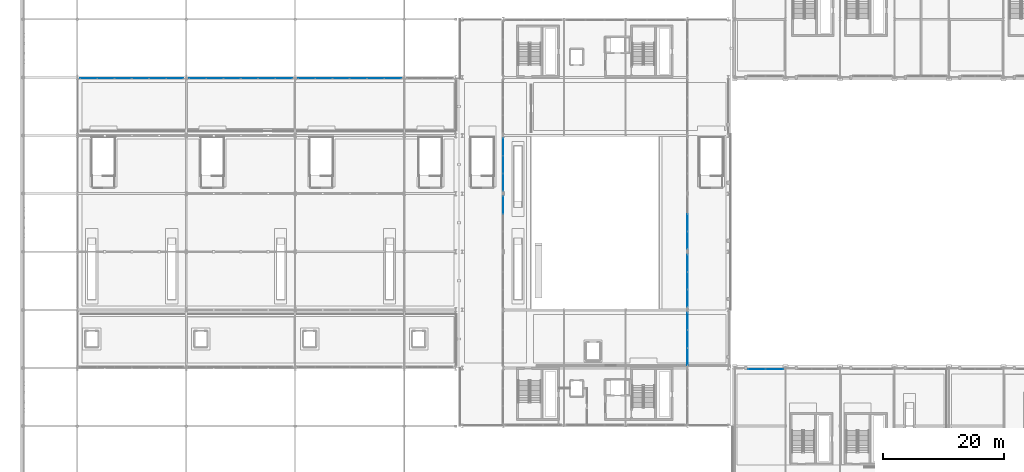
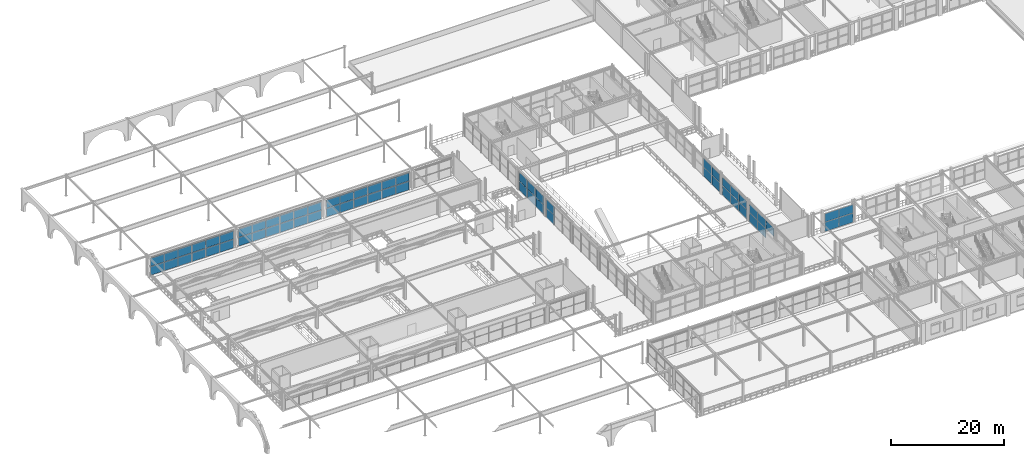
# One storey, part 61 of 125: 63 plates, 12 elements without a shape of their own.
"""IFC4 building model written with IfcOpenShell, lengths in metres."""

from ifc_helpers import new_model, si_unit, direction, frame, origin, origin_2d, place, context, subcontext, project, spatial, rectangle, extrude, material, layer, layer_set, type_object, element, aggregate, save


model = new_model("IFC4")

# Units and contexts
model_context = context("Model", 3, precision=1e-05, world=origin(), true_north=direction((0.0, 1.0)))
body_context = subcontext(model_context, "Body", "Model", "MODEL_VIEW")
ifc_project = project(units=[si_unit("LENGTHUNIT", "METRE"), si_unit("AREAUNIT", "SQUARE_METRE"), si_unit("VOLUMEUNIT", "CUBIC_METRE"), si_unit("PLANEANGLEUNIT", "RADIAN"), si_unit("MASSUNIT", "GRAM", prefix="KILO")], contexts=[model_context])

# Site, building, storey
site_placement = place(None, origin())
site = spatial("IfcSite", under=ifc_project, at=site_placement, CompositionType="ELEMENT")
building_placement = place(site_placement, origin())
building = spatial("IfcBuilding", under=site, at=building_placement, Name="Myrtia Square Station", CompositionType="ELEMENT")
storey_placement = place(building_placement, frame((0.0, 0.0, 6.0)))
storey = spatial("IfcBuildingStorey", under=building, at=storey_placement, Name="L01", CompositionType="ELEMENT", Elevation=6.0)

# Curtain wall, plates
ifc_material_1 = material(Name="Dark bronze anodised aluminium", Category="aluminium")
ifc_layer_1 = layer(ifc_material_1, 0.159912109375, Name="Dark bronze anodised aluminium")
ifc_layer_set_1 = layer_set([ifc_layer_1], Name="Dark bronze anodised aluminium")
curtain_wall_type_1 = type_object("IfcCurtainWallType", Name="CW-TYPE-04-880x400", PredefinedType="USERDEFINED", material=ifc_layer_set_1)
curtain_wall_1_placement = place(storey_placement, origin())
curtain_wall_1 = element("IfcCurtainWall", 1, at=curtain_wall_1_placement, inside=storey, type_object=curtain_wall_type_1, Name="Concourse curtain wall CW-L01-010", ObjectType="CONCOURSE CURTAIN WALL", PredefinedType="USERDEFINED")
ifc_material_2 = material(Name="Tinted low-E solar control glass", Category="glass")
ifc_layer_2 = layer(ifc_material_2, 0.02392578125, Name="Tinted low-E solar control glass")
ifc_layer_set_2 = layer_set([ifc_layer_2], Name="Tinted low-E solar control glass")
plate_type_1 = type_object("IfcPlateType", Name="CWP-GLZ-24", PredefinedType="CURTAIN_PANEL", material=ifc_layer_set_2)
plate_1_placement = place(storey_placement, frame((109.800048828125, 49.885498046875, 0.0751953125), z_axis=(0.0, 0.0, 1.0), x_axis=(0.0, 1.0, 0.0)))
plate_1 = element("IfcPlate", 2, at=plate_1_placement, type_object=plate_type_1, Name="CW-010 panel 1.1", PredefinedType="CURTAIN_PANEL", context=body_context, shape_type="SweptSolid", body=[
    extrude(rectangle(XDim=2.82080078125, YDim=0.02392578125, at=origin_2d()), origin(), (0.0, 0.0, 1.0), 1.967529296875),
])
plate_2_placement = place(storey_placement, frame((109.800048828125, 49.885498046875, 2.117431640625), z_axis=(0.0, 0.0, 1.0), x_axis=(0.0, 1.0, 0.0)))
plate_2 = element("IfcPlate", 3, at=plate_2_placement, type_object=plate_type_1, Name="CW-010 panel 1.2", PredefinedType="CURTAIN_PANEL", context=body_context, shape_type="SweptSolid", body=[
    extrude(rectangle(XDim=2.82080078125, YDim=0.02392578125, at=origin_2d()), origin(), (0.0, 0.0, 1.0), 1.8076171875),
])
plate_3_placement = place(storey_placement, frame((109.800048828125, 52.800048828125, 0.0751953125), z_axis=(0.0, 0.0, 1.0), x_axis=(0.0, 1.0, 0.0)))
plate_3 = element("IfcPlate", 4, at=plate_3_placement, type_object=plate_type_1, Name="CW-010 panel 2.1", PredefinedType="CURTAIN_PANEL", context=body_context, shape_type="SweptSolid", body=[
    extrude(rectangle(XDim=2.8583984375, YDim=0.02392578125, at=origin_2d()), origin(), (0.0, 0.0, 1.0), 1.967529296875),
])
plate_4_placement = place(storey_placement, frame((109.800048828125, 52.800048828125, 2.117431640625), z_axis=(0.0, 0.0, 1.0), x_axis=(0.0, 1.0, 0.0)))
plate_4 = element("IfcPlate", 5, at=plate_4_placement, type_object=plate_type_1, Name="CW-010 panel 2.2", PredefinedType="CURTAIN_PANEL", context=body_context, shape_type="SweptSolid", body=[
    extrude(rectangle(XDim=2.8583984375, YDim=0.02392578125, at=origin_2d()), origin(), (0.0, 0.0, 1.0), 1.8076171875),
])
plate_5_placement = place(storey_placement, frame((109.800048828125, 55.714599609375, 0.0751953125), z_axis=(0.0, 0.0, 1.0), x_axis=(0.0, 1.0, 0.0)))
plate_5 = element("IfcPlate", 6, at=plate_5_placement, type_object=plate_type_1, Name="CW-010 panel 3.1", PredefinedType="CURTAIN_PANEL", context=body_context, shape_type="SweptSolid", body=[
    extrude(rectangle(XDim=2.82080078125, YDim=0.02392578125, at=origin_2d()), origin(), (0.0, 0.0, 1.0), 1.967529296875),
])
plate_6_placement = place(storey_placement, frame((109.800048828125, 55.714599609375, 2.117431640625), z_axis=(0.0, 0.0, 1.0), x_axis=(0.0, 1.0, 0.0)))
plate_6 = element("IfcPlate", 7, at=plate_6_placement, type_object=plate_type_1, Name="CW-010 panel 3.2", PredefinedType="CURTAIN_PANEL", context=body_context, shape_type="SweptSolid", body=[
    extrude(rectangle(XDim=2.82080078125, YDim=0.02392578125, at=origin_2d()), origin(), (0.0, 0.0, 1.0), 1.8076171875),
])
aggregate(curtain_wall_1, [plate_1, plate_2, plate_3, plate_4, plate_5, plate_6])

ifc_layer_3 = layer(ifc_material_1, 0.159912109375, Name="Dark bronze anodised aluminium")
ifc_layer_set_3 = layer_set([ifc_layer_3], Name="Dark bronze anodised aluminium")
curtain_wall_type_2 = type_object("IfcCurtainWallType", Name="CW-TYPE-03-880x400", PredefinedType="USERDEFINED", material=ifc_layer_set_3)
curtain_wall_2_placement = place(storey_placement, origin())
curtain_wall_2 = element("IfcCurtainWall", 8, at=curtain_wall_2_placement, inside=storey, type_object=curtain_wall_type_2, Name="Concourse curtain wall CW-L01-011", ObjectType="CONCOURSE CURTAIN WALL", PredefinedType="USERDEFINED")
plate_7_placement = place(storey_placement, frame((79.35009765625, 65.317138671875, 0.06494140625), z_axis=(0.0, 0.0, 1.0), x_axis=(0.0, 1.0, 0.0)))
plate_7 = element("IfcPlate", 9, at=plate_7_placement, type_object=plate_type_1, Name="CW-011 panel 3.1", PredefinedType="CURTAIN_PANEL", context=body_context, shape_type="SweptSolid", body=[
    extrude(rectangle(XDim=2.8359375, YDim=0.02392578125, at=origin_2d()), origin(), (0.0, 0.0, 1.0), 1.982421875),
])
plate_8_placement = place(storey_placement, frame((79.35009765625, 65.317138671875, 2.1123046875), z_axis=(0.0, 0.0, 1.0), x_axis=(0.0, 1.0, 0.0)))
plate_8 = element("IfcPlate", 10, at=plate_8_placement, type_object=plate_type_1, Name="CW-011 panel 3.2", PredefinedType="CURTAIN_PANEL", context=body_context, shape_type="SweptSolid", body=[
    extrude(rectangle(XDim=2.8359375, YDim=0.02392578125, at=origin_2d()), origin(), (0.0, 0.0, 1.0), 1.822509765625),
])
aggregate(curtain_wall_2, [plate_7, plate_8])

ifc_layer_4 = layer(ifc_material_1, 0.159912109375, Name="Dark bronze anodised aluminium")
ifc_layer_set_4 = layer_set([ifc_layer_4], Name="Dark bronze anodised aluminium")
curtain_wall_type_3 = type_object("IfcCurtainWallType", Name="CW-TYPE-25-595x400", PredefinedType="USERDEFINED", material=ifc_layer_set_4)
curtain_wall_3_placement = place(storey_placement, origin())
curtain_wall_3 = element("IfcCurtainWall", 11, at=curtain_wall_3_placement, inside=storey, type_object=curtain_wall_type_3, Name="Concourse curtain wall CW-L01-090", ObjectType="CONCOURSE CURTAIN WALL", PredefinedType="USERDEFINED")
plate_9_placement = place(storey_placement, frame((121.25634765625, 38.199951171875, 0.0751953125), z_axis=(0.0, 0.0, 1.0), x_axis=(1.0, 0.0, 0.0)))
plate_9 = element("IfcPlate", 12, at=plate_9_placement, type_object=plate_type_1, Name="CW-090 panel 1.1", PredefinedType="CURTAIN_PANEL", context=body_context, shape_type="SweptSolid", body=[
    extrude(rectangle(XDim=2.862548828125, YDim=0.02392578125, at=origin_2d()), origin(), (0.0, 0.0, 1.0), 1.967529296875),
])
plate_10_placement = place(storey_placement, frame((121.25634765625, 38.199951171875, 2.117431640625), z_axis=(0.0, 0.0, 1.0), x_axis=(1.0, 0.0, 0.0)))
plate_10 = element("IfcPlate", 13, at=plate_10_placement, type_object=plate_type_1, Name="CW-090 panel 1.2", PredefinedType="CURTAIN_PANEL", context=body_context, shape_type="SweptSolid", body=[
    extrude(rectangle(XDim=2.862548828125, YDim=0.02392578125, at=origin_2d()), origin(), (0.0, 0.0, 1.0), 1.8076171875),
])
plate_11_placement = place(storey_placement, frame((124.19384765625, 38.199951171875, 0.0751953125), z_axis=(0.0, 0.0, 1.0), x_axis=(1.0, 0.0, 0.0)))
plate_11 = element("IfcPlate", 14, at=plate_11_placement, type_object=plate_type_1, Name="CW-090 panel 2.1", PredefinedType="CURTAIN_PANEL", context=body_context, shape_type="SweptSolid", body=[
    extrude(rectangle(XDim=2.862548828125, YDim=0.02392578125, at=origin_2d()), origin(), (0.0, 0.0, 1.0), 1.967529296875),
])
plate_12_placement = place(storey_placement, frame((124.19384765625, 38.199951171875, 2.117431640625), z_axis=(0.0, 0.0, 1.0), x_axis=(1.0, 0.0, 0.0)))
plate_12 = element("IfcPlate", 15, at=plate_12_placement, type_object=plate_type_1, Name="CW-090 panel 2.2", PredefinedType="CURTAIN_PANEL", context=body_context, shape_type="SweptSolid", body=[
    extrude(rectangle(XDim=2.862548828125, YDim=0.02392578125, at=origin_2d()), origin(), (0.0, 0.0, 1.0), 1.8076171875),
])
aggregate(curtain_wall_3, [plate_9, plate_10, plate_11, plate_12])

ifc_layer_5 = layer(ifc_material_1, 0.159912109375, Name="Dark bronze anodised aluminium")
ifc_layer_set_5 = layer_set([ifc_layer_5], Name="Dark bronze anodised aluminium")
curtain_wall_type_4 = type_object("IfcCurtainWallType", Name="CW-TYPE-19-855x385", PredefinedType="USERDEFINED", material=ifc_layer_set_5)
curtain_wall_4_placement = place(storey_placement, origin())
curtain_wall_4 = element("IfcCurtainWall", 16, at=curtain_wall_4_placement, inside=storey, type_object=curtain_wall_type_4, Name="Concourse curtain wall CW-L01-060", ObjectType="CONCOURSE CURTAIN WALL", PredefinedType="USERDEFINED")
ifc_layer_6 = layer(ifc_material_2, 0.028076171875, Name="Tinted low-E solar control glass")
ifc_layer_set_6 = layer_set([ifc_layer_6], Name="Tinted low-E solar control glass")
plate_type_2 = type_object("IfcPlateType", Name="CWP-GLZ-28", PredefinedType="CURTAIN_PANEL", material=ifc_layer_set_6)
plate_13_placement = place(storey_placement, frame((10.891357421875, 86.25, 0.06494140625), z_axis=(0.0, 0.0, 1.0), x_axis=(1.0, 0.0, 0.0)))
plate_13 = element("IfcPlate", 17, at=plate_13_placement, type_object=plate_type_2, Name="CW-060 panel 1.1", PredefinedType="CURTAIN_PANEL", context=body_context, shape_type="SweptSolid", body=[
    extrude(rectangle(XDim=2.75244140625, YDim=0.028076171875, at=origin_2d()), origin(), (0.0, 0.0, 1.0), 1.904541015625),
])
plate_14_placement = place(storey_placement, frame((10.891357421875, 86.25, 2.034423828125), z_axis=(0.0, 0.0, 1.0), x_axis=(1.0, 0.0, 0.0)))
plate_14 = element("IfcPlate", 18, at=plate_14_placement, type_object=plate_type_2, Name="CW-060 panel 1.2", PredefinedType="CURTAIN_PANEL", context=body_context, shape_type="SweptSolid", body=[
    extrude(rectangle(XDim=2.75244140625, YDim=0.028076171875, at=origin_2d()), origin(), (0.0, 0.0, 1.0), 1.75048828125),
])
plate_15_placement = place(storey_placement, frame((13.72509765625, 86.25, 0.06494140625), z_axis=(0.0, 0.0, 1.0), x_axis=(1.0, 0.0, 0.0)))
plate_15 = element("IfcPlate", 19, at=plate_15_placement, type_object=plate_type_2, Name="CW-060 panel 2.1", PredefinedType="CURTAIN_PANEL", context=body_context, shape_type="SweptSolid", body=[
    extrude(rectangle(XDim=2.784912109375, YDim=0.028076171875, at=origin_2d()), origin(), (0.0, 0.0, 1.0), 1.904541015625),
])
plate_16_placement = place(storey_placement, frame((13.72509765625, 86.25, 2.034423828125), z_axis=(0.0, 0.0, 1.0), x_axis=(1.0, 0.0, 0.0)))
plate_16 = element("IfcPlate", 20, at=plate_16_placement, type_object=plate_type_2, Name="CW-060 panel 2.2", PredefinedType="CURTAIN_PANEL", context=body_context, shape_type="SweptSolid", body=[
    extrude(rectangle(XDim=2.784912109375, YDim=0.028076171875, at=origin_2d()), origin(), (0.0, 0.0, 1.0), 1.75048828125),
])
plate_17_placement = place(storey_placement, frame((16.558837890625, 86.25, 0.06494140625), z_axis=(0.0, 0.0, 1.0), x_axis=(1.0, 0.0, 0.0)))
plate_17 = element("IfcPlate", 21, at=plate_17_placement, type_object=plate_type_2, Name="CW-060 panel 3.1", PredefinedType="CURTAIN_PANEL", context=body_context, shape_type="SweptSolid", body=[
    extrude(rectangle(XDim=2.75244140625, YDim=0.028076171875, at=origin_2d()), origin(), (0.0, 0.0, 1.0), 1.904541015625),
])
plate_18_placement = place(storey_placement, frame((16.558837890625, 86.25, 2.034423828125), z_axis=(0.0, 0.0, 1.0), x_axis=(1.0, 0.0, 0.0)))
plate_18 = element("IfcPlate", 22, at=plate_18_placement, type_object=plate_type_2, Name="CW-060 panel 3.2", PredefinedType="CURTAIN_PANEL", context=body_context, shape_type="SweptSolid", body=[
    extrude(rectangle(XDim=2.75244140625, YDim=0.028076171875, at=origin_2d()), origin(), (0.0, 0.0, 1.0), 1.75048828125),
])
aggregate(curtain_wall_4, [plate_13, plate_14, plate_15, plate_16, plate_17, plate_18])

curtain_wall_5_placement = place(storey_placement, origin())
curtain_wall_5 = element("IfcCurtainWall", 23, at=curtain_wall_5_placement, inside=storey, type_object=curtain_wall_type_4, Name="Concourse curtain wall CW-L01-064", ObjectType="CONCOURSE CURTAIN WALL", PredefinedType="USERDEFINED")
plate_19_placement = place(storey_placement, frame((28.891357421875, 86.25, 0.06494140625), z_axis=(0.0, 0.0, 1.0), x_axis=(1.0, 0.0, 0.0)))
plate_19 = element("IfcPlate", 24, at=plate_19_placement, type_object=plate_type_2, Name="CW-064 panel 1.1", PredefinedType="CURTAIN_PANEL", context=body_context, shape_type="SweptSolid", body=[
    extrude(rectangle(XDim=2.75244140625, YDim=0.028076171875, at=origin_2d()), origin(), (0.0, 0.0, 1.0), 1.904541015625),
])
plate_20_placement = place(storey_placement, frame((28.891357421875, 86.25, 2.034423828125), z_axis=(0.0, 0.0, 1.0), x_axis=(1.0, 0.0, 0.0)))
plate_20 = element("IfcPlate", 25, at=plate_20_placement, type_object=plate_type_2, Name="CW-064 panel 1.2", PredefinedType="CURTAIN_PANEL", context=body_context, shape_type="SweptSolid", body=[
    extrude(rectangle(XDim=2.75244140625, YDim=0.028076171875, at=origin_2d()), origin(), (0.0, 0.0, 1.0), 1.75048828125),
])
plate_21_placement = place(storey_placement, frame((31.72509765625, 86.25, 0.06494140625), z_axis=(0.0, 0.0, 1.0), x_axis=(1.0, 0.0, 0.0)))
plate_21 = element("IfcPlate", 26, at=plate_21_placement, type_object=plate_type_2, Name="CW-064 panel 2.1", PredefinedType="CURTAIN_PANEL", context=body_context, shape_type="SweptSolid", body=[
    extrude(rectangle(XDim=2.784912109375, YDim=0.028076171875, at=origin_2d()), origin(), (0.0, 0.0, 1.0), 1.904541015625),
])
plate_22_placement = place(storey_placement, frame((31.72509765625, 86.25, 2.034423828125), z_axis=(0.0, 0.0, 1.0), x_axis=(1.0, 0.0, 0.0)))
plate_22 = element("IfcPlate", 27, at=plate_22_placement, type_object=plate_type_2, Name="CW-064 panel 2.2", PredefinedType="CURTAIN_PANEL", context=body_context, shape_type="SweptSolid", body=[
    extrude(rectangle(XDim=2.784912109375, YDim=0.028076171875, at=origin_2d()), origin(), (0.0, 0.0, 1.0), 1.75048828125),
])
plate_23_placement = place(storey_placement, frame((34.558837890625, 86.25, 0.06494140625), z_axis=(0.0, 0.0, 1.0), x_axis=(1.0, 0.0, 0.0)))
plate_23 = element("IfcPlate", 28, at=plate_23_placement, type_object=plate_type_2, Name="CW-064 panel 3.1", PredefinedType="CURTAIN_PANEL", context=body_context, shape_type="SweptSolid", body=[
    extrude(rectangle(XDim=2.75244140625, YDim=0.028076171875, at=origin_2d()), origin(), (0.0, 0.0, 1.0), 1.904541015625),
])
plate_24_placement = place(storey_placement, frame((34.558837890625, 86.25, 2.034423828125), z_axis=(0.0, 0.0, 1.0), x_axis=(1.0, 0.0, 0.0)))
plate_24 = element("IfcPlate", 29, at=plate_24_placement, type_object=plate_type_2, Name="CW-064 panel 3.2", PredefinedType="CURTAIN_PANEL", context=body_context, shape_type="SweptSolid", body=[
    extrude(rectangle(XDim=2.75244140625, YDim=0.028076171875, at=origin_2d()), origin(), (0.0, 0.0, 1.0), 1.75048828125),
])
aggregate(curtain_wall_5, [plate_19, plate_20, plate_21, plate_22, plate_23, plate_24])

curtain_wall_6_placement = place(storey_placement, origin())
curtain_wall_6 = element("IfcCurtainWall", 30, at=curtain_wall_6_placement, inside=storey, type_object=curtain_wall_type_4, Name="Concourse curtain wall CW-L01-068", ObjectType="CONCOURSE CURTAIN WALL", PredefinedType="USERDEFINED")
plate_25_placement = place(storey_placement, frame((46.891357421875, 86.25, 0.06494140625), z_axis=(0.0, 0.0, 1.0), x_axis=(1.0, 0.0, 0.0)))
plate_25 = element("IfcPlate", 31, at=plate_25_placement, type_object=plate_type_2, Name="CW-068 panel 1.1", PredefinedType="CURTAIN_PANEL", context=body_context, shape_type="SweptSolid", body=[
    extrude(rectangle(XDim=2.75244140625, YDim=0.028076171875, at=origin_2d()), origin(), (0.0, 0.0, 1.0), 1.904541015625),
])
plate_26_placement = place(storey_placement, frame((46.891357421875, 86.25, 2.034423828125), z_axis=(0.0, 0.0, 1.0), x_axis=(1.0, 0.0, 0.0)))
plate_26 = element("IfcPlate", 32, at=plate_26_placement, type_object=plate_type_2, Name="CW-068 panel 1.2", PredefinedType="CURTAIN_PANEL", context=body_context, shape_type="SweptSolid", body=[
    extrude(rectangle(XDim=2.75244140625, YDim=0.028076171875, at=origin_2d()), origin(), (0.0, 0.0, 1.0), 1.75048828125),
])
plate_27_placement = place(storey_placement, frame((49.72509765625, 86.25, 0.06494140625), z_axis=(0.0, 0.0, 1.0), x_axis=(1.0, 0.0, 0.0)))
plate_27 = element("IfcPlate", 33, at=plate_27_placement, type_object=plate_type_2, Name="CW-068 panel 2.1", PredefinedType="CURTAIN_PANEL", context=body_context, shape_type="SweptSolid", body=[
    extrude(rectangle(XDim=2.784912109375, YDim=0.028076171875, at=origin_2d()), origin(), (0.0, 0.0, 1.0), 1.904541015625),
])
plate_28_placement = place(storey_placement, frame((49.72509765625, 86.25, 2.034423828125), z_axis=(0.0, 0.0, 1.0), x_axis=(1.0, 0.0, 0.0)))
plate_28 = element("IfcPlate", 34, at=plate_28_placement, type_object=plate_type_2, Name="CW-068 panel 2.2", PredefinedType="CURTAIN_PANEL", context=body_context, shape_type="SweptSolid", body=[
    extrude(rectangle(XDim=2.784912109375, YDim=0.028076171875, at=origin_2d()), origin(), (0.0, 0.0, 1.0), 1.75048828125),
])
plate_29_placement = place(storey_placement, frame((52.558837890625, 86.25, 0.06494140625), z_axis=(0.0, 0.0, 1.0), x_axis=(1.0, 0.0, 0.0)))
plate_29 = element("IfcPlate", 35, at=plate_29_placement, type_object=plate_type_2, Name="CW-068 panel 3.1", PredefinedType="CURTAIN_PANEL", context=body_context, shape_type="SweptSolid", body=[
    extrude(rectangle(XDim=2.75244140625, YDim=0.028076171875, at=origin_2d()), origin(), (0.0, 0.0, 1.0), 1.904541015625),
])
plate_30_placement = place(storey_placement, frame((52.558837890625, 86.25, 2.034423828125), z_axis=(0.0, 0.0, 1.0), x_axis=(1.0, 0.0, 0.0)))
plate_30 = element("IfcPlate", 36, at=plate_30_placement, type_object=plate_type_2, Name="CW-068 panel 3.2", PredefinedType="CURTAIN_PANEL", context=body_context, shape_type="SweptSolid", body=[
    extrude(rectangle(XDim=2.75244140625, YDim=0.028076171875, at=origin_2d()), origin(), (0.0, 0.0, 1.0), 1.75048828125),
])
aggregate(curtain_wall_6, [plate_25, plate_26, plate_27, plate_28, plate_29, plate_30])

curtain_wall_7_placement = place(storey_placement, origin())
curtain_wall_7 = element("IfcCurtainWall", 37, at=curtain_wall_7_placement, inside=storey, type_object=curtain_wall_type_1, Name="Concourse curtain wall CW-L01-008", ObjectType="CONCOURSE CURTAIN WALL", PredefinedType="USERDEFINED")
ifc_layer_7 = layer(ifc_material_2, 0.031982421875, Name="Tinted low-E solar control glass")
ifc_layer_set_7 = layer_set([ifc_layer_7], Name="Tinted low-E solar control glass")
plate_type_3 = type_object("IfcPlateType", Name="CWP-GLZ-32", PredefinedType="CURTAIN_PANEL", material=ifc_layer_set_7)
plate_31_placement = place(storey_placement, frame((109.800048828125, 40.285400390625, 2.117431640625), z_axis=(0.0, 0.0, 1.0), x_axis=(0.0, 1.0, 0.0)))
plate_31 = element("IfcPlate", 38, at=plate_31_placement, type_object=plate_type_3, Name="CW-008 panel 1.2", PredefinedType="CURTAIN_PANEL", context=body_context, shape_type="SweptSolid", body=[
    extrude(rectangle(XDim=2.82080078125, YDim=0.031982421875, at=origin_2d()), origin(), (0.0, 0.0, 1.0), 1.8076171875),
])
plate_32_placement = place(storey_placement, frame((109.800048828125, 43.199951171875, 0.0751953125), z_axis=(0.0, 0.0, 1.0), x_axis=(0.0, 1.0, 0.0)))
plate_32 = element("IfcPlate", 39, at=plate_32_placement, type_object=plate_type_3, Name="CW-008 panel 2.1", PredefinedType="CURTAIN_PANEL", context=body_context, shape_type="SweptSolid", body=[
    extrude(rectangle(XDim=2.8583984375, YDim=0.031982421875, at=origin_2d()), origin(), (0.0, 0.0, 1.0), 1.967529296875),
])
plate_33_placement = place(storey_placement, frame((109.800048828125, 43.199951171875, 2.117431640625), z_axis=(0.0, 0.0, 1.0), x_axis=(0.0, 1.0, 0.0)))
plate_33 = element("IfcPlate", 40, at=plate_33_placement, type_object=plate_type_3, Name="CW-008 panel 2.2", PredefinedType="CURTAIN_PANEL", context=body_context, shape_type="SweptSolid", body=[
    extrude(rectangle(XDim=2.8583984375, YDim=0.031982421875, at=origin_2d()), origin(), (0.0, 0.0, 1.0), 1.8076171875),
])
plate_34_placement = place(storey_placement, frame((109.800048828125, 46.114501953125, 0.0751953125), z_axis=(0.0, 0.0, 1.0), x_axis=(0.0, 1.0, 0.0)))
plate_34 = element("IfcPlate", 41, at=plate_34_placement, type_object=plate_type_3, Name="CW-008 panel 3.1", PredefinedType="CURTAIN_PANEL", context=body_context, shape_type="SweptSolid", body=[
    extrude(rectangle(XDim=2.82080078125, YDim=0.031982421875, at=origin_2d()), origin(), (0.0, 0.0, 1.0), 1.967529296875),
])
plate_35_placement = place(storey_placement, frame((109.800048828125, 46.114501953125, 2.117431640625), z_axis=(0.0, 0.0, 1.0), x_axis=(0.0, 1.0, 0.0)))
plate_35 = element("IfcPlate", 42, at=plate_35_placement, type_object=plate_type_3, Name="CW-008 panel 3.2", PredefinedType="CURTAIN_PANEL", context=body_context, shape_type="SweptSolid", body=[
    extrude(rectangle(XDim=2.82080078125, YDim=0.031982421875, at=origin_2d()), origin(), (0.0, 0.0, 1.0), 1.8076171875),
])
aggregate(curtain_wall_7, [plate_31, plate_32, plate_33, plate_34, plate_35])

curtain_wall_8_placement = place(storey_placement, origin())
curtain_wall_8 = element("IfcCurtainWall", 43, at=curtain_wall_8_placement, inside=storey, type_object=curtain_wall_type_1, Name="Concourse curtain wall CW-L01-012", ObjectType="CONCOURSE CURTAIN WALL", PredefinedType="USERDEFINED")
plate_36_placement = place(storey_placement, frame((109.800048828125, 59.4853515625, 0.0751953125), z_axis=(0.0, 0.0, 1.0), x_axis=(0.0, 1.0, 0.0)))
plate_36 = element("IfcPlate", 44, at=plate_36_placement, type_object=plate_type_3, Name="CW-012 panel 1.1", PredefinedType="CURTAIN_PANEL", context=body_context, shape_type="SweptSolid", body=[
    extrude(rectangle(XDim=2.82080078125, YDim=0.031982421875, at=origin_2d()), origin(), (0.0, 0.0, 1.0), 1.967529296875),
])
plate_37_placement = place(storey_placement, frame((109.800048828125, 59.4853515625, 2.117431640625), z_axis=(0.0, 0.0, 1.0), x_axis=(0.0, 1.0, 0.0)))
plate_37 = element("IfcPlate", 45, at=plate_37_placement, type_object=plate_type_3, Name="CW-012 panel 1.2", PredefinedType="CURTAIN_PANEL", context=body_context, shape_type="SweptSolid", body=[
    extrude(rectangle(XDim=2.82080078125, YDim=0.031982421875, at=origin_2d()), origin(), (0.0, 0.0, 1.0), 1.8076171875),
])
plate_38_placement = place(storey_placement, frame((109.800048828125, 62.39990234375, 0.0751953125), z_axis=(0.0, 0.0, 1.0), x_axis=(0.0, 1.0, 0.0)))
plate_38 = element("IfcPlate", 46, at=plate_38_placement, type_object=plate_type_3, Name="CW-012 panel 2.1", PredefinedType="CURTAIN_PANEL", context=body_context, shape_type="SweptSolid", body=[
    extrude(rectangle(XDim=2.8583984375, YDim=0.031982421875, at=origin_2d()), origin(), (0.0, 0.0, 1.0), 1.967529296875),
])
plate_39_placement = place(storey_placement, frame((109.800048828125, 62.39990234375, 2.117431640625), z_axis=(0.0, 0.0, 1.0), x_axis=(0.0, 1.0, 0.0)))
plate_39 = element("IfcPlate", 47, at=plate_39_placement, type_object=plate_type_3, Name="CW-012 panel 2.2", PredefinedType="CURTAIN_PANEL", context=body_context, shape_type="SweptSolid", body=[
    extrude(rectangle(XDim=2.8583984375, YDim=0.031982421875, at=origin_2d()), origin(), (0.0, 0.0, 1.0), 1.8076171875),
])
aggregate(curtain_wall_8, [plate_36, plate_37, plate_38, plate_39])

curtain_wall_9_placement = place(storey_placement, origin())
curtain_wall_9 = element("IfcCurtainWall", 48, at=curtain_wall_9_placement, inside=storey, type_object=curtain_wall_type_2, Name="Concourse curtain wall CW-L01-013", ObjectType="CONCOURSE CURTAIN WALL", PredefinedType="USERDEFINED")
plate_40_placement = place(storey_placement, frame((79.35009765625, 69.0830078125, 0.06494140625), z_axis=(0.0, 0.0, 1.0), x_axis=(0.0, 1.0, 0.0)))
plate_40 = element("IfcPlate", 49, at=plate_40_placement, type_object=plate_type_3, Name="CW-013 panel 1.1", PredefinedType="CURTAIN_PANEL", context=body_context, shape_type="SweptSolid", body=[
    extrude(rectangle(XDim=2.8359375, YDim=0.031982421875, at=origin_2d()), origin(), (0.0, 0.0, 1.0), 1.982421875),
])
plate_41_placement = place(storey_placement, frame((79.35009765625, 69.0830078125, 2.1123046875), z_axis=(0.0, 0.0, 1.0), x_axis=(0.0, 1.0, 0.0)))
plate_41 = element("IfcPlate", 50, at=plate_41_placement, type_object=plate_type_3, Name="CW-013 panel 1.2", PredefinedType="CURTAIN_PANEL", context=body_context, shape_type="SweptSolid", body=[
    extrude(rectangle(XDim=2.8359375, YDim=0.031982421875, at=origin_2d()), origin(), (0.0, 0.0, 1.0), 1.822509765625),
])
plate_42_placement = place(storey_placement, frame((79.35009765625, 72.0, 0.06494140625), z_axis=(0.0, 0.0, 1.0), x_axis=(0.0, 1.0, 0.0)))
plate_42 = element("IfcPlate", 51, at=plate_42_placement, type_object=plate_type_3, Name="CW-013 panel 2.1", PredefinedType="CURTAIN_PANEL", context=body_context, shape_type="SweptSolid", body=[
    extrude(rectangle(XDim=2.868408203125, YDim=0.031982421875, at=origin_2d()), origin(), (0.0, 0.0, 1.0), 1.982421875),
])
plate_43_placement = place(storey_placement, frame((79.35009765625, 72.0, 2.1123046875), z_axis=(0.0, 0.0, 1.0), x_axis=(0.0, 1.0, 0.0)))
plate_43 = element("IfcPlate", 52, at=plate_43_placement, type_object=plate_type_3, Name="CW-013 panel 2.2", PredefinedType="CURTAIN_PANEL", context=body_context, shape_type="SweptSolid", body=[
    extrude(rectangle(XDim=2.868408203125, YDim=0.031982421875, at=origin_2d()), origin(), (0.0, 0.0, 1.0), 1.822509765625),
])
plate_44_placement = place(storey_placement, frame((79.35009765625, 74.9169921875, 0.06494140625), z_axis=(0.0, 0.0, 1.0), x_axis=(0.0, 1.0, 0.0)))
plate_44 = element("IfcPlate", 53, at=plate_44_placement, type_object=plate_type_3, Name="CW-013 panel 3.1", PredefinedType="CURTAIN_PANEL", context=body_context, shape_type="SweptSolid", body=[
    extrude(rectangle(XDim=2.8359375, YDim=0.031982421875, at=origin_2d()), origin(), (0.0, 0.0, 1.0), 1.982421875),
])
plate_45_placement = place(storey_placement, frame((79.35009765625, 74.9169921875, 2.1123046875), z_axis=(0.0, 0.0, 1.0), x_axis=(0.0, 1.0, 0.0)))
plate_45 = element("IfcPlate", 54, at=plate_45_placement, type_object=plate_type_3, Name="CW-013 panel 3.2", PredefinedType="CURTAIN_PANEL", context=body_context, shape_type="SweptSolid", body=[
    extrude(rectangle(XDim=2.8359375, YDim=0.031982421875, at=origin_2d()), origin(), (0.0, 0.0, 1.0), 1.822509765625),
])
aggregate(curtain_wall_9, [plate_40, plate_41, plate_42, plate_43, plate_44, plate_45])

curtain_wall_10_placement = place(storey_placement, origin())
curtain_wall_10 = element("IfcCurtainWall", 55, at=curtain_wall_10_placement, inside=storey, type_object=curtain_wall_type_4, Name="Concourse curtain wall CW-L01-062", ObjectType="CONCOURSE CURTAIN WALL", PredefinedType="USERDEFINED")
ifc_layer_8 = layer(ifc_material_2, 0.035888671875, Name="Tinted low-E solar control glass")
ifc_layer_set_8 = layer_set([ifc_layer_8], Name="Tinted low-E solar control glass")
plate_type_4 = type_object("IfcPlateType", Name="CWP-GLZ-36", PredefinedType="CURTAIN_PANEL", material=ifc_layer_set_8)
plate_46_placement = place(storey_placement, frame((19.441162109375, 86.25, 0.06494140625), z_axis=(0.0, 0.0, 1.0), x_axis=(1.0, 0.0, 0.0)))
plate_46 = element("IfcPlate", 56, at=plate_46_placement, type_object=plate_type_4, Name="CW-062 panel 1.1", PredefinedType="CURTAIN_PANEL", context=body_context, shape_type="SweptSolid", body=[
    extrude(rectangle(XDim=2.75244140625, YDim=0.035888671875, at=origin_2d()), origin(), (0.0, 0.0, 1.0), 1.904541015625),
])
plate_47_placement = place(storey_placement, frame((19.441162109375, 86.25, 2.034423828125), z_axis=(0.0, 0.0, 1.0), x_axis=(1.0, 0.0, 0.0)))
plate_47 = element("IfcPlate", 57, at=plate_47_placement, type_object=plate_type_4, Name="CW-062 panel 1.2", PredefinedType="CURTAIN_PANEL", context=body_context, shape_type="SweptSolid", body=[
    extrude(rectangle(XDim=2.75244140625, YDim=0.035888671875, at=origin_2d()), origin(), (0.0, 0.0, 1.0), 1.75048828125),
])
plate_48_placement = place(storey_placement, frame((22.27490234375, 86.25, 0.06494140625), z_axis=(0.0, 0.0, 1.0), x_axis=(1.0, 0.0, 0.0)))
plate_48 = element("IfcPlate", 58, at=plate_48_placement, type_object=plate_type_4, Name="CW-062 panel 2.1", PredefinedType="CURTAIN_PANEL", context=body_context, shape_type="SweptSolid", body=[
    extrude(rectangle(XDim=2.784912109375, YDim=0.035888671875, at=origin_2d()), origin(), (0.0, 0.0, 1.0), 1.904541015625),
])
plate_49_placement = place(storey_placement, frame((22.27490234375, 86.25, 2.034423828125), z_axis=(0.0, 0.0, 1.0), x_axis=(1.0, 0.0, 0.0)))
plate_49 = element("IfcPlate", 59, at=plate_49_placement, type_object=plate_type_4, Name="CW-062 panel 2.2", PredefinedType="CURTAIN_PANEL", context=body_context, shape_type="SweptSolid", body=[
    extrude(rectangle(XDim=2.784912109375, YDim=0.035888671875, at=origin_2d()), origin(), (0.0, 0.0, 1.0), 1.75048828125),
])
plate_50_placement = place(storey_placement, frame((25.108642578125, 86.25, 0.06494140625), z_axis=(0.0, 0.0, 1.0), x_axis=(1.0, 0.0, 0.0)))
plate_50 = element("IfcPlate", 60, at=plate_50_placement, type_object=plate_type_4, Name="CW-062 panel 3.1", PredefinedType="CURTAIN_PANEL", context=body_context, shape_type="SweptSolid", body=[
    extrude(rectangle(XDim=2.75244140625, YDim=0.035888671875, at=origin_2d()), origin(), (0.0, 0.0, 1.0), 1.904541015625),
])
plate_51_placement = place(storey_placement, frame((25.108642578125, 86.25, 2.034423828125), z_axis=(0.0, 0.0, 1.0), x_axis=(1.0, 0.0, 0.0)))
plate_51 = element("IfcPlate", 61, at=plate_51_placement, type_object=plate_type_4, Name="CW-062 panel 3.2", PredefinedType="CURTAIN_PANEL", context=body_context, shape_type="SweptSolid", body=[
    extrude(rectangle(XDim=2.75244140625, YDim=0.035888671875, at=origin_2d()), origin(), (0.0, 0.0, 1.0), 1.75048828125),
])
aggregate(curtain_wall_10, [plate_46, plate_47, plate_48, plate_49, plate_50, plate_51])

curtain_wall_11_placement = place(storey_placement, origin())
curtain_wall_11 = element("IfcCurtainWall", 62, at=curtain_wall_11_placement, inside=storey, type_object=curtain_wall_type_4, Name="Concourse curtain wall CW-L01-066", ObjectType="CONCOURSE CURTAIN WALL", PredefinedType="USERDEFINED")
plate_52_placement = place(storey_placement, frame((37.441162109375, 86.25, 0.06494140625), z_axis=(0.0, 0.0, 1.0), x_axis=(1.0, 0.0, 0.0)))
plate_52 = element("IfcPlate", 63, at=plate_52_placement, type_object=plate_type_4, Name="CW-066 panel 1.1", PredefinedType="CURTAIN_PANEL", context=body_context, shape_type="SweptSolid", body=[
    extrude(rectangle(XDim=2.75244140625, YDim=0.035888671875, at=origin_2d()), origin(), (0.0, 0.0, 1.0), 1.904541015625),
])
plate_53_placement = place(storey_placement, frame((37.441162109375, 86.25, 2.034423828125), z_axis=(0.0, 0.0, 1.0), x_axis=(1.0, 0.0, 0.0)))
plate_53 = element("IfcPlate", 64, at=plate_53_placement, type_object=plate_type_4, Name="CW-066 panel 1.2", PredefinedType="CURTAIN_PANEL", context=body_context, shape_type="SweptSolid", body=[
    extrude(rectangle(XDim=2.75244140625, YDim=0.035888671875, at=origin_2d()), origin(), (0.0, 0.0, 1.0), 1.75048828125),
])
plate_54_placement = place(storey_placement, frame((40.27490234375, 86.25, 0.06494140625), z_axis=(0.0, 0.0, 1.0), x_axis=(1.0, 0.0, 0.0)))
plate_54 = element("IfcPlate", 65, at=plate_54_placement, type_object=plate_type_4, Name="CW-066 panel 2.1", PredefinedType="CURTAIN_PANEL", context=body_context, shape_type="SweptSolid", body=[
    extrude(rectangle(XDim=2.784912109375, YDim=0.035888671875, at=origin_2d()), origin(), (0.0, 0.0, 1.0), 1.904541015625),
])
plate_55_placement = place(storey_placement, frame((40.27490234375, 86.25, 2.034423828125), z_axis=(0.0, 0.0, 1.0), x_axis=(1.0, 0.0, 0.0)))
plate_55 = element("IfcPlate", 66, at=plate_55_placement, type_object=plate_type_4, Name="CW-066 panel 2.2", PredefinedType="CURTAIN_PANEL", context=body_context, shape_type="SweptSolid", body=[
    extrude(rectangle(XDim=2.784912109375, YDim=0.035888671875, at=origin_2d()), origin(), (0.0, 0.0, 1.0), 1.75048828125),
])
plate_56_placement = place(storey_placement, frame((43.108642578125, 86.25, 0.06494140625), z_axis=(0.0, 0.0, 1.0), x_axis=(1.0, 0.0, 0.0)))
plate_56 = element("IfcPlate", 67, at=plate_56_placement, type_object=plate_type_4, Name="CW-066 panel 3.1", PredefinedType="CURTAIN_PANEL", context=body_context, shape_type="SweptSolid", body=[
    extrude(rectangle(XDim=2.75244140625, YDim=0.035888671875, at=origin_2d()), origin(), (0.0, 0.0, 1.0), 1.904541015625),
])
plate_57_placement = place(storey_placement, frame((43.108642578125, 86.25, 2.034423828125), z_axis=(0.0, 0.0, 1.0), x_axis=(1.0, 0.0, 0.0)))
plate_57 = element("IfcPlate", 68, at=plate_57_placement, type_object=plate_type_4, Name="CW-066 panel 3.2", PredefinedType="CURTAIN_PANEL", context=body_context, shape_type="SweptSolid", body=[
    extrude(rectangle(XDim=2.75244140625, YDim=0.035888671875, at=origin_2d()), origin(), (0.0, 0.0, 1.0), 1.75048828125),
])
aggregate(curtain_wall_11, [plate_52, plate_53, plate_54, plate_55, plate_56, plate_57])

curtain_wall_12_placement = place(storey_placement, origin())
curtain_wall_12 = element("IfcCurtainWall", 69, at=curtain_wall_12_placement, inside=storey, type_object=curtain_wall_type_4, Name="Concourse curtain wall CW-L01-070", ObjectType="CONCOURSE CURTAIN WALL", PredefinedType="USERDEFINED")
plate_58_placement = place(storey_placement, frame((55.441162109375, 86.25, 0.06494140625), z_axis=(0.0, 0.0, 1.0), x_axis=(1.0, 0.0, 0.0)))
plate_58 = element("IfcPlate", 70, at=plate_58_placement, type_object=plate_type_4, Name="CW-070 panel 1.1", PredefinedType="CURTAIN_PANEL", context=body_context, shape_type="SweptSolid", body=[
    extrude(rectangle(XDim=2.75244140625, YDim=0.035888671875, at=origin_2d()), origin(), (0.0, 0.0, 1.0), 1.904541015625),
])
plate_59_placement = place(storey_placement, frame((55.441162109375, 86.25, 2.034423828125), z_axis=(0.0, 0.0, 1.0), x_axis=(1.0, 0.0, 0.0)))
plate_59 = element("IfcPlate", 71, at=plate_59_placement, type_object=plate_type_4, Name="CW-070 panel 1.2", PredefinedType="CURTAIN_PANEL", context=body_context, shape_type="SweptSolid", body=[
    extrude(rectangle(XDim=2.75244140625, YDim=0.035888671875, at=origin_2d()), origin(), (0.0, 0.0, 1.0), 1.75048828125),
])
plate_60_placement = place(storey_placement, frame((58.27490234375, 86.25, 0.06494140625), z_axis=(0.0, 0.0, 1.0), x_axis=(1.0, 0.0, 0.0)))
plate_60 = element("IfcPlate", 72, at=plate_60_placement, type_object=plate_type_4, Name="CW-070 panel 2.1", PredefinedType="CURTAIN_PANEL", context=body_context, shape_type="SweptSolid", body=[
    extrude(rectangle(XDim=2.784912109375, YDim=0.035888671875, at=origin_2d()), origin(), (0.0, 0.0, 1.0), 1.904541015625),
])
plate_61_placement = place(storey_placement, frame((58.27490234375, 86.25, 2.034423828125), z_axis=(0.0, 0.0, 1.0), x_axis=(1.0, 0.0, 0.0)))
plate_61 = element("IfcPlate", 73, at=plate_61_placement, type_object=plate_type_4, Name="CW-070 panel 2.2", PredefinedType="CURTAIN_PANEL", context=body_context, shape_type="SweptSolid", body=[
    extrude(rectangle(XDim=2.784912109375, YDim=0.035888671875, at=origin_2d()), origin(), (0.0, 0.0, 1.0), 1.75048828125),
])
plate_62_placement = place(storey_placement, frame((61.108642578125, 86.25, 0.06494140625), z_axis=(0.0, 0.0, 1.0), x_axis=(1.0, 0.0, 0.0)))
plate_62 = element("IfcPlate", 74, at=plate_62_placement, type_object=plate_type_4, Name="CW-070 panel 3.1", PredefinedType="CURTAIN_PANEL", context=body_context, shape_type="SweptSolid", body=[
    extrude(rectangle(XDim=2.75244140625, YDim=0.035888671875, at=origin_2d()), origin(), (0.0, 0.0, 1.0), 1.904541015625),
])
plate_63_placement = place(storey_placement, frame((61.108642578125, 86.25, 2.034423828125), z_axis=(0.0, 0.0, 1.0), x_axis=(1.0, 0.0, 0.0)))
plate_63 = element("IfcPlate", 75, at=plate_63_placement, type_object=plate_type_4, Name="CW-070 panel 3.2", PredefinedType="CURTAIN_PANEL", context=body_context, shape_type="SweptSolid", body=[
    extrude(rectangle(XDim=2.75244140625, YDim=0.035888671875, at=origin_2d()), origin(), (0.0, 0.0, 1.0), 1.75048828125),
])
aggregate(curtain_wall_12, [plate_58, plate_59, plate_60, plate_61, plate_62, plate_63])

save(model, "model.ifc")
